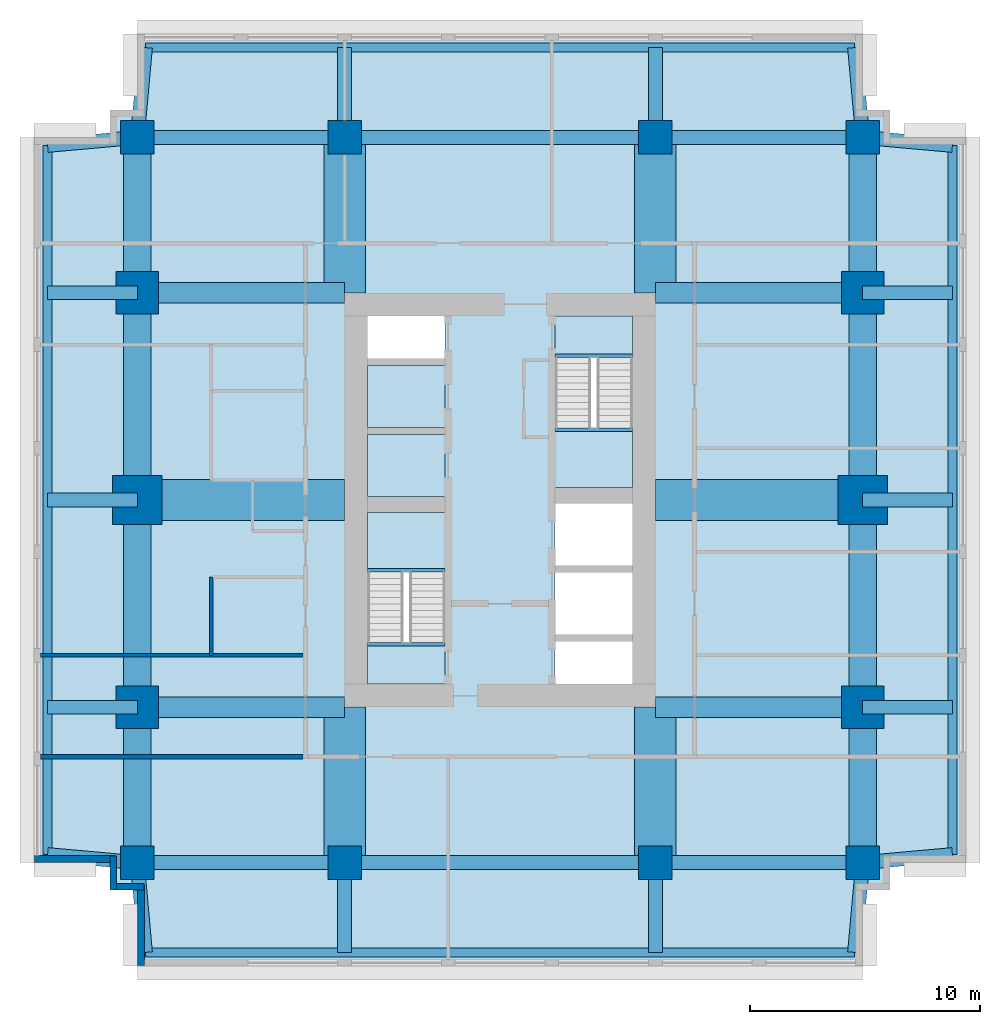
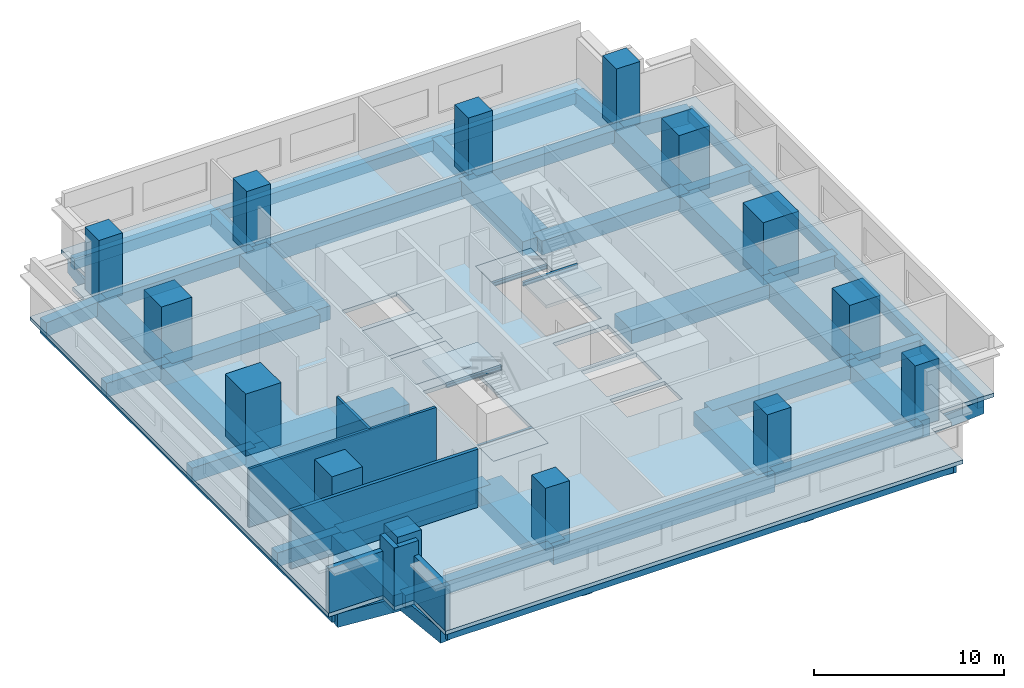
# One storey, part 1 of 5: 50 beams, 14 columns, 7 slabs, 7 walls, 2 elements without a shape of their own.
"""IFC4 building model written with IfcOpenShell, lengths in metres."""

from ifc_helpers import new_model, si_unit, direction, frame, frame_2d, origin, origin_2d, place, context, subcontext, project, spatial, polyline, rectangle, i_section, outline, extrude, material, layer, layer_set, material_profile, profile_set, type_object, element, aggregate, save


model = new_model("IFC4")

# Units and contexts
model_context = context("Model", 3, precision=1e-05, world=origin(), true_north=direction((0.0, 1.0)))
body_context = subcontext(model_context, "Body", "Model", "MODEL_VIEW")
ifc_project = project(units=[si_unit("LENGTHUNIT", "METRE"), si_unit("AREAUNIT", "SQUARE_METRE"), si_unit("VOLUMEUNIT", "CUBIC_METRE"), si_unit("PLANEANGLEUNIT", "RADIAN"), si_unit("MASSUNIT", "GRAM", prefix="KILO")], contexts=[model_context])

# Site, building, storey
site_placement = place(None, origin())
site = spatial("IfcSite", under=ifc_project, at=site_placement, CompositionType="ELEMENT")
building_placement = place(site_placement, origin())
building = spatial("IfcBuilding", under=site, at=building_placement, Name="Namib Vertical Campus", CompositionType="ELEMENT")
storey_placement = place(building_placement, frame((0.0, 0.0, 257.0)))
storey = spatial("IfcBuildingStorey", under=building, at=storey_placement, Name="L60", CompositionType="ELEMENT", Elevation=257.0)

# Columns
ifc_material_1 = material(Name="Concrete C60/75", Category="concrete")
ifc_material_profile_1 = material_profile(ifc_material_1, rectangle(XDim=1.449951171875, YDim=1.449951171875, at=origin_2d()))
ifc_profile_set_1 = profile_set([ifc_material_profile_1], Name="Concrete C60/75")
column_type_1 = type_object("IfcColumnType", Name="Column RC 1450x1450", PredefinedType="COLUMN", material=ifc_profile_set_1)
for number, where, z_axis, x_axis, name in (
    (1, (4.5, 4.5, 0.0), (0.0, 0.0, 1.0), (1.0, 0.0, 0.0), "Column C145 L60"),
    (2, (13.5, 4.5, 0.0), (0.0, 0.0, 1.0), (1.0, 0.0, 0.0), "Column C145 L60"),
    (3, (27.0, 4.5, 0.0), (0.0, 0.0, 1.0), (1.0, 0.0, 0.0), "Column C145 L60"),
    (4, (36.0, 4.5, 0.0), (0.0, 0.0, 1.0), (1.0, 0.0, 0.0), "Column C145 L60"),
    (5, (4.5, 36.0, 0.0), (0.0, 0.0, 1.0), (1.0, 0.0, 0.0), "Column C145 L60"),
    (6, (13.5, 36.0, 0.0), (0.0, 0.0, 1.0), (1.0, 0.0, 0.0), "Column C145 L60"),
    (7, (27.0, 36.0, 0.0), (0.0, 0.0, 1.0), (1.0, 0.0, 0.0), "Column C145 L60"),
    (8, (36.0, 36.0, 0.0), (0.0, 0.0, 1.0), (1.0, 0.0, 0.0), "Column C145 L60"),
):
    element("IfcColumn", number, at=place(storey_placement, frame(where, z_axis=z_axis, x_axis=x_axis)), inside=storey, type_object=column_type_1, Name=name, PredefinedType="COLUMN", context=body_context, shape_type="SweptSolid", body=[
        extrude(rectangle(XDim=1.449951171875, YDim=1.449951171875, at=origin_2d()), origin(), (0.0, 0.0, 1.0), 4.0),
    ])
ifc_material_2 = material(Name="Concrete C60/75", Category="concrete")
ifc_material_profile_2 = material_profile(ifc_material_2, rectangle(XDim=1.85009765625, YDim=1.85009765625, at=origin_2d()))
ifc_profile_set_2 = profile_set([ifc_material_profile_2], Name="Concrete C60/75")
column_type_2 = type_object("IfcColumnType", Name="Column RC 1850x1850", PredefinedType="COLUMN", material=ifc_profile_set_2)
for number, where, z_axis, x_axis, name in (
    (9, (4.5, 11.25, 0.0), (0.0, 0.0, 1.0), (1.0, 0.0, 0.0), "Column C185 L60"),
    (10, (36.0, 11.25, 0.0), (0.0, 0.0, 1.0), (1.0, 0.0, 0.0), "Column C185 L60"),
    (11, (4.5, 29.25, 0.0), (0.0, 0.0, 1.0), (1.0, 0.0, 0.0), "Column C185 L60"),
    (12, (36.0, 29.25, 0.0), (0.0, 0.0, 1.0), (1.0, 0.0, 0.0), "Column C185 L60"),
):
    element("IfcColumn", number, at=place(storey_placement, frame(where, z_axis=z_axis, x_axis=x_axis)), inside=storey, type_object=column_type_2, Name=name, PredefinedType="COLUMN", context=body_context, shape_type="SweptSolid", body=[
        extrude(rectangle(XDim=1.85009765625, YDim=1.85009765625, at=origin_2d()), origin(), (0.0, 0.0, 1.0), 4.0),
    ])
ifc_material_3 = material(Name="Concrete C60/75", Category="concrete")
ifc_material_profile_3 = material_profile(ifc_material_3, rectangle(XDim=2.14990234375, YDim=2.14990234375, at=origin_2d()))
ifc_profile_set_3 = profile_set([ifc_material_profile_3], Name="Concrete C60/75")
column_type_3 = type_object("IfcColumnType", Name="Column RC 2150x2150", PredefinedType="COLUMN", material=ifc_profile_set_3)
for number, where, z_axis, x_axis, name in (
    (13, (4.5, 20.25, 0.0), (0.0, 0.0, 1.0), (1.0, 0.0, 0.0), "Column C215 L60"),
    (14, (36.0, 20.25, 0.0), (0.0, 0.0, 1.0), (1.0, 0.0, 0.0), "Column C215 L60"),
):
    element("IfcColumn", number, at=place(storey_placement, frame(where, z_axis=z_axis, x_axis=x_axis)), inside=storey, type_object=column_type_3, Name=name, PredefinedType="COLUMN", context=body_context, shape_type="SweptSolid", body=[
        extrude(rectangle(XDim=2.14990234375, YDim=2.14990234375, at=origin_2d()), origin(), (0.0, 0.0, 1.0), 4.0),
    ])

# Beams
ifc_material_4 = material(Name="Concrete C40/50", Category="concrete")
ifc_material_profile_4 = material_profile(ifc_material_4, rectangle(XDim=0.60009765625, YDim=0.89990234375, at=origin_2d()))
ifc_profile_set_4 = profile_set([ifc_material_profile_4], Name="Concrete C40/50")
beam_type_1 = type_object("IfcBeamType", Name="Cantilever girder RC 600x900", PredefinedType="BEAM", material=ifc_profile_set_4)
beam_1_placement = place(storey_placement, frame((4.5, 4.5, -0.699951171875), z_axis=(0.089411326146, -0.995994786511, 0.0), x_axis=(0.995994786511, 0.089411326146, 0.0)))
element("IfcBeam", 15, at=beam_1_placement, inside=storey, type_object=beam_type_1, Name="Beam B3 L60", PredefinedType="BEAM", context=body_context, shape_type="SweptSolid", body=[
    extrude(rectangle(XDim=0.60009765625, YDim=0.89990234375, at=origin_2d()), origin(), (0.0, 0.0, 1.0), 3.91552734375),
])
for number, where, z_axis, x_axis, name in (
    (16, (13.5, 4.5, -0.699951171875), (0.0, -1.0, 0.0), (1.0, 0.0, 0.0), "Beam B3 L60"),
    (17, (27.0, 4.5, -0.699951171875), (0.0, -1.0, 0.0), (1.0, 0.0, 0.0), "Beam B3 L60"),
):
    element("IfcBeam", number, at=place(storey_placement, frame(where, z_axis=z_axis, x_axis=x_axis)), inside=storey, type_object=beam_type_1, Name=name, PredefinedType="BEAM", context=body_context, shape_type="SweptSolid", body=[
        extrude(rectangle(XDim=0.60009765625, YDim=0.89990234375, at=origin_2d()), origin(), (0.0, 0.0, 1.0), 3.89990234375),
    ])
for number, where, z_axis, x_axis, name in (
    (18, (36.0, 4.5, -0.699951171875), (-0.089411326146, -0.995994786511, 0.0), (0.995994786511, -0.089411326146, 0.0), "Beam B3 L60"),
    (19, (4.5, 36.0, -0.699951171875), (0.089411326146, 0.995994786511, 0.0), (-0.995994786511, 0.089411326146, 0.0), "Beam B3 L60"),
):
    element("IfcBeam", number, at=place(storey_placement, frame(where, z_axis=z_axis, x_axis=x_axis)), inside=storey, type_object=beam_type_1, Name=name, PredefinedType="BEAM", context=body_context, shape_type="SweptSolid", body=[
        extrude(rectangle(XDim=0.60009765625, YDim=0.89990234375, at=origin_2d()), origin(), (0.0, 0.0, 1.0), 3.91552734375),
    ])
for number, where, z_axis, x_axis, name in (
    (20, (13.5, 36.0, -0.699951171875), (0.0, 1.0, 0.0), (-1.0, 0.0, 0.0), "Beam B3 L60"),
    (21, (27.0, 36.0, -0.699951171875), (0.0, 1.0, 0.0), (-1.0, 0.0, 0.0), "Beam B3 L60"),
):
    element("IfcBeam", number, at=place(storey_placement, frame(where, z_axis=z_axis, x_axis=x_axis)), inside=storey, type_object=beam_type_1, Name=name, PredefinedType="BEAM", context=body_context, shape_type="SweptSolid", body=[
        extrude(rectangle(XDim=0.60009765625, YDim=0.89990234375, at=origin_2d()), origin(), (0.0, 0.0, 1.0), 3.89990234375),
    ])
for number, where, z_axis, x_axis, name in (
    (22, (36.0, 36.0, -0.699951171875), (-0.089411326146, 0.995994786511, 0.0), (-0.995994786511, -0.089411326146, 0.0), "Beam B3 L60"),
    (23, (4.5, 4.5, -0.699951171875), (-0.995994786511, 0.089411326146, 0.0), (-0.089411326146, -0.995994786511, 0.0), "Beam B3 L60"),
):
    element("IfcBeam", number, at=place(storey_placement, frame(where, z_axis=z_axis, x_axis=x_axis)), inside=storey, type_object=beam_type_1, Name=name, PredefinedType="BEAM", context=body_context, shape_type="SweptSolid", body=[
        extrude(rectangle(XDim=0.60009765625, YDim=0.89990234375, at=origin_2d()), origin(), (0.0, 0.0, 1.0), 3.91552734375),
    ])
for number, where, z_axis, x_axis, name in (
    (24, (4.5, 11.25, -0.699951171875), (-1.0, 0.0, 0.0), (0.0, -1.0, 0.0), "Beam B3 L60"),
    (25, (4.5, 20.25, -0.699951171875), (-1.0, 0.0, 0.0), (0.0, -1.0, 0.0), "Beam B3 L60"),
    (26, (4.5, 29.25, -0.699951171875), (-1.0, 0.0, 0.0), (0.0, -1.0, 0.0), "Beam B3 L60"),
):
    element("IfcBeam", number, at=place(storey_placement, frame(where, z_axis=z_axis, x_axis=x_axis)), inside=storey, type_object=beam_type_1, Name=name, PredefinedType="BEAM", context=body_context, shape_type="SweptSolid", body=[
        extrude(rectangle(XDim=0.60009765625, YDim=0.89990234375, at=origin_2d()), origin(), (0.0, 0.0, 1.0), 3.89990234375),
    ])
for number, where, z_axis, x_axis, name in (
    (27, (4.5, 36.0, -0.699951171875), (-0.995994786511, -0.089411326146, 0.0), (0.089411326146, -0.995994786511, 0.0), "Beam B3 L60"),
    (28, (36.0, 4.5, -0.699951171875), (0.995994786511, 0.089411326146, 0.0), (-0.089411326146, 0.995994786511, 0.0), "Beam B3 L60"),
):
    element("IfcBeam", number, at=place(storey_placement, frame(where, z_axis=z_axis, x_axis=x_axis)), inside=storey, type_object=beam_type_1, Name=name, PredefinedType="BEAM", context=body_context, shape_type="SweptSolid", body=[
        extrude(rectangle(XDim=0.60009765625, YDim=0.89990234375, at=origin_2d()), origin(), (0.0, 0.0, 1.0), 3.91552734375),
    ])
for number, where, z_axis, x_axis, name in (
    (29, (36.0, 11.25, -0.699951171875), (1.0, 0.0, 0.0), (0.0, 1.0, 0.0), "Beam B3 L60"),
    (30, (36.0, 20.25, -0.699951171875), (1.0, 0.0, 0.0), (0.0, 1.0, 0.0), "Beam B3 L60"),
    (31, (36.0, 29.25, -0.699951171875), (1.0, 0.0, 0.0), (0.0, 1.0, 0.0), "Beam B3 L60"),
):
    element("IfcBeam", number, at=place(storey_placement, frame(where, z_axis=z_axis, x_axis=x_axis)), inside=storey, type_object=beam_type_1, Name=name, PredefinedType="BEAM", context=body_context, shape_type="SweptSolid", body=[
        extrude(rectangle(XDim=0.60009765625, YDim=0.89990234375, at=origin_2d()), origin(), (0.0, 0.0, 1.0), 3.89990234375),
    ])
beam_2_placement = place(storey_placement, frame((36.0, 36.0, -0.699951171875), z_axis=(0.995994786511, -0.089411326146, 0.0), x_axis=(0.089411326146, 0.995994786511, 0.0)))
element("IfcBeam", 32, at=beam_2_placement, inside=storey, type_object=beam_type_1, Name="Beam B3 L60", PredefinedType="BEAM", context=body_context, shape_type="SweptSolid", body=[
    extrude(rectangle(XDim=0.60009765625, YDim=0.89990234375, at=origin_2d()), origin(), (0.0, 0.0, 1.0), 3.91552734375),
])
ifc_material_5 = material(Name="Concrete C40/50", Category="concrete")
ifc_material_profile_5 = material_profile(ifc_material_5, rectangle(XDim=0.39990234375, YDim=0.699951171875, at=origin_2d()))
ifc_profile_set_5 = profile_set([ifc_material_profile_5], Name="Concrete C40/50")
beam_type_2 = type_object("IfcBeamType", Name="Edge beam RC 400x700", PredefinedType="SPANDREL", material=ifc_profile_set_5)
for number, where, z_axis, x_axis, name in (
    (33, (4.85009765625, 0.60009765625, -0.60009765625), (1.0, 0.0, 0.0), (0.0, 1.0, 0.0), "Beam B4 L60"),
    (34, (4.85009765625, 39.89990234375, -0.60009765625), (1.0, 0.0, 0.0), (0.0, 1.0, 0.0), "Beam B4 L60"),
    (35, (0.60009765625, 4.85009765625, -0.60009765625), (0.0, 1.0, 0.0), (-1.0, 0.0, 0.0), "Beam B4 L60"),
    (36, (39.89990234375, 4.85009765625, -0.60009765625), (0.0, 1.0, 0.0), (-1.0, 0.0, 0.0), "Beam B4 L60"),
):
    element("IfcBeam", number, at=place(storey_placement, frame(where, z_axis=z_axis, x_axis=x_axis)), inside=storey, type_object=beam_type_2, Name=name, PredefinedType="SPANDREL", context=body_context, shape_type="SweptSolid", body=[
        extrude(rectangle(XDim=0.39990234375, YDim=0.699951171875, at=origin_2d()), origin(), (0.0, 0.0, 1.0), 30.7998046875),
    ])
ifc_material_6 = material(Name="Concrete C40/50", Category="concrete")
ifc_material_profile_6 = material_profile(ifc_material_6, rectangle(XDim=0.89990234375, YDim=0.89990234375, at=origin_2d()))
ifc_profile_set_6 = profile_set([ifc_material_profile_6], Name="Concrete C40/50")
beam_type_3 = type_object("IfcBeamType", Name="Face girder RC 900x900", PredefinedType="BEAM", material=ifc_profile_set_6)
for number, where, z_axis, x_axis, name in (
    (37, (4.5, 11.25, -0.699951171875), (1.0, 0.0, 0.0), (0.0, 1.0, 0.0), "Beam B10 L60"),
    (38, (36.0, 11.25, -0.699951171875), (-1.0, 0.0, 0.0), (0.0, -1.0, 0.0), "Beam B10 L60"),
    (39, (4.5, 29.25, -0.699951171875), (1.0, 0.0, 0.0), (0.0, 1.0, 0.0), "Beam B10 L60"),
    (40, (36.0, 29.25, -0.699951171875), (-1.0, 0.0, 0.0), (0.0, -1.0, 0.0), "Beam B10 L60"),
):
    element("IfcBeam", number, at=place(storey_placement, frame(where, z_axis=z_axis, x_axis=x_axis)), inside=storey, type_object=beam_type_3, Name=name, PredefinedType="BEAM", context=body_context, shape_type="SweptSolid", body=[
        extrude(rectangle(XDim=0.89990234375, YDim=0.89990234375, at=origin_2d()), origin(), (0.0, 0.0, 1.0), 9.0),
    ])
ifc_material_7 = material(Name="Concrete C40/50", Category="concrete")
ifc_material_profile_7 = material_profile(ifc_material_7, rectangle(XDim=1.199951171875, YDim=1.10009765625, at=origin_2d()))
ifc_profile_set_7 = profile_set([ifc_material_profile_7], Name="Concrete C40/50")
beam_type_4 = type_object("IfcBeamType", Name="Face ring beam RC 1200x1100", PredefinedType="BEAM", material=ifc_profile_set_7)
beam_3_placement = place(storey_placement, frame((4.5, 4.5, -0.800048828125), z_axis=(0.0, 1.0, 0.0), x_axis=(-1.0, 0.0, 0.0)))
element("IfcBeam", 41, at=beam_3_placement, inside=storey, type_object=beam_type_4, Name="Beam B11 L60", PredefinedType="BEAM", context=body_context, shape_type="SweptSolid", body=[
    extrude(rectangle(XDim=1.199951171875, YDim=1.10009765625, at=origin_2d()), origin(), (0.0, 0.0, 1.0), 6.75),
])
for number, where, z_axis, x_axis, name in (
    (42, (4.5, 11.25, -0.800048828125), (0.0, 1.0, 0.0), (-1.0, 0.0, 0.0), "Beam B11 L60"),
    (43, (4.5, 20.25, -0.800048828125), (0.0, 1.0, 0.0), (-1.0, 0.0, 0.0), "Beam B11 L60"),
):
    element("IfcBeam", number, at=place(storey_placement, frame(where, z_axis=z_axis, x_axis=x_axis)), inside=storey, type_object=beam_type_4, Name=name, PredefinedType="BEAM", context=body_context, shape_type="SweptSolid", body=[
        extrude(rectangle(XDim=1.199951171875, YDim=1.10009765625, at=origin_2d()), origin(), (0.0, 0.0, 1.0), 9.0),
    ])
for number, where, z_axis, x_axis, name in (
    (44, (4.5, 29.25, -0.800048828125), (0.0, 1.0, 0.0), (-1.0, 0.0, 0.0), "Beam B11 L60"),
    (45, (36.0, 4.5, -0.800048828125), (0.0, 1.0, 0.0), (-1.0, 0.0, 0.0), "Beam B11 L60"),
):
    element("IfcBeam", number, at=place(storey_placement, frame(where, z_axis=z_axis, x_axis=x_axis)), inside=storey, type_object=beam_type_4, Name=name, PredefinedType="BEAM", context=body_context, shape_type="SweptSolid", body=[
        extrude(rectangle(XDim=1.199951171875, YDim=1.10009765625, at=origin_2d()), origin(), (0.0, 0.0, 1.0), 6.75),
    ])
for number, where, z_axis, x_axis, name in (
    (46, (36.0, 11.25, -0.800048828125), (0.0, 1.0, 0.0), (-1.0, 0.0, 0.0), "Beam B11 L60"),
    (47, (36.0, 20.25, -0.800048828125), (0.0, 1.0, 0.0), (-1.0, 0.0, 0.0), "Beam B11 L60"),
):
    element("IfcBeam", number, at=place(storey_placement, frame(where, z_axis=z_axis, x_axis=x_axis)), inside=storey, type_object=beam_type_4, Name=name, PredefinedType="BEAM", context=body_context, shape_type="SweptSolid", body=[
        extrude(rectangle(XDim=1.199951171875, YDim=1.10009765625, at=origin_2d()), origin(), (0.0, 0.0, 1.0), 9.0),
    ])
beam_4_placement = place(storey_placement, frame((36.0, 29.25, -0.800048828125), z_axis=(0.0, 1.0, 0.0), x_axis=(-1.0, 0.0, 0.0)))
element("IfcBeam", 48, at=beam_4_placement, inside=storey, type_object=beam_type_4, Name="Beam B11 L60", PredefinedType="BEAM", context=body_context, shape_type="SweptSolid", body=[
    extrude(rectangle(XDim=1.199951171875, YDim=1.10009765625, at=origin_2d()), origin(), (0.0, 0.0, 1.0), 6.75),
])
ifc_material_8 = material(Name="Steel S355JR", Category="steel")
ifc_material_profile_8 = material_profile(ifc_material_8, i_section(OverallWidth=0.14599609375, OverallDepth=0.25146484375, WebThickness=0.006103515625, FlangeThickness=0.008544921875, FilletRadius=0.007568359375, at=origin_2d()))
ifc_profile_set_8 = profile_set([ifc_material_profile_8], Name="Steel S355JR")
beam_type_5 = type_object("IfcBeamType", Name="Landing trimmer UB 254x146x31", PredefinedType="BEAM", material=ifc_profile_set_8)
for number, where, z_axis, x_axis, name in (
    (49, (14.5, 13.97705078125, -0.125732421875), (1.0, 0.0, 0.0), (0.0, 1.0, 0.0), "Landing trimmer LT1 A-S1 L60 1"),
    (50, (14.5, 17.203125, 1.874267578125), (1.0, 0.0, 0.0), (0.0, 1.0, 0.0), "Landing trimmer LT1 A-S1 L60 2"),
    (51, (22.64990234375, 26.52294921875, -0.125732421875), (1.0, 0.0, 0.0), (0.0, 1.0, 0.0), "Landing trimmer LT1 A-S2 L60 1"),
    (52, (22.64990234375, 23.296875, 1.874267578125), (1.0, 0.0, 0.0), (0.0, 1.0, 0.0), "Landing trimmer LT1 A-S2 L60 2"),
):
    element("IfcBeam", number, at=place(storey_placement, frame(where, z_axis=z_axis, x_axis=x_axis)), inside=storey, type_object=beam_type_5, Name=name, PredefinedType="BEAM", context=body_context, shape_type="SweptSolid", body=[
        extrude(i_section(OverallWidth=0.14599609375, OverallDepth=0.25146484375, WebThickness=0.006103515625, FlangeThickness=0.008544921875, FilletRadius=0.007568359375, at=origin_2d()), origin(), (0.0, 0.0, 1.0), 3.35009765625),
    ])
ifc_material_9 = material(Name="Concrete C40/50", Category="concrete")
ifc_material_profile_9 = material_profile(ifc_material_9, rectangle(XDim=0.60009765625, YDim=1.199951171875, at=origin_2d()))
ifc_profile_set_9 = profile_set([ifc_material_profile_9], Name="Concrete C40/50")
beam_type_6 = type_object("IfcBeamType", Name="Long-span ring beam RC 600x1200", PredefinedType="BEAM", material=ifc_profile_set_9)
for number, where, z_axis, x_axis, name in (
    (53, (13.5, 4.5, -0.85009765625), (1.0, 0.0, 0.0), (0.0, 1.0, 0.0), "Beam B9 L60"),
    (54, (13.5, 36.0, -0.85009765625), (1.0, 0.0, 0.0), (0.0, 1.0, 0.0), "Beam B9 L60"),
):
    element("IfcBeam", number, at=place(storey_placement, frame(where, z_axis=z_axis, x_axis=x_axis)), inside=storey, type_object=beam_type_6, Name=name, PredefinedType="BEAM", context=body_context, shape_type="SweptSolid", body=[
        extrude(rectangle(XDim=0.60009765625, YDim=1.199951171875, at=origin_2d()), origin(), (0.0, 0.0, 1.0), 13.5),
    ])
ifc_material_10 = material(Name="Concrete C40/50", Category="concrete")
ifc_material_profile_10 = material_profile(ifc_material_10, rectangle(XDim=1.800048828125, YDim=0.89990234375, at=origin_2d()))
ifc_profile_set_10 = profile_set([ifc_material_profile_10], Name="Concrete C40/50")
beam_type_7 = type_object("IfcBeamType", Name="Outrigger line girder RC 1800x900", PredefinedType="BEAM", material=ifc_profile_set_10)
for number, where, z_axis, x_axis, name in (
    (55, (13.5, 4.5, -0.699951171875), (0.0, 1.0, 0.0), (-1.0, 0.0, 0.0), "Beam B12 L60"),
    (56, (13.5, 36.0, -0.699951171875), (0.0, -1.0, 0.0), (1.0, 0.0, 0.0), "Beam B12 L60"),
    (57, (27.0, 4.5, -0.699951171875), (0.0, 1.0, 0.0), (-1.0, 0.0, 0.0), "Beam B12 L60"),
    (58, (27.0, 36.0, -0.699951171875), (0.0, -1.0, 0.0), (1.0, 0.0, 0.0), "Beam B12 L60"),
):
    element("IfcBeam", number, at=place(storey_placement, frame(where, z_axis=z_axis, x_axis=x_axis)), inside=storey, type_object=beam_type_7, Name=name, PredefinedType="BEAM", context=body_context, shape_type="SweptSolid", body=[
        extrude(rectangle(XDim=1.800048828125, YDim=0.89990234375, at=origin_2d()), origin(), (0.0, 0.0, 1.0), 6.75),
    ])
for number, where, z_axis, x_axis, name in (
    (59, (4.5, 20.25, -0.699951171875), (1.0, 0.0, 0.0), (0.0, 1.0, 0.0), "Beam B12 L60"),
    (60, (36.0, 20.25, -0.699951171875), (-1.0, 0.0, 0.0), (0.0, -1.0, 0.0), "Beam B12 L60"),
):
    element("IfcBeam", number, at=place(storey_placement, frame(where, z_axis=z_axis, x_axis=x_axis)), inside=storey, type_object=beam_type_7, Name=name, PredefinedType="BEAM", context=body_context, shape_type="SweptSolid", body=[
        extrude(rectangle(XDim=1.800048828125, YDim=0.89990234375, at=origin_2d()), origin(), (0.0, 0.0, 1.0), 9.0),
    ])
ifc_material_11 = material(Name="Concrete C40/50", Category="concrete")
ifc_material_profile_11 = material_profile(ifc_material_11, rectangle(XDim=0.60009765625, YDim=0.800048828125, at=origin_2d()))
ifc_profile_set_11 = profile_set([ifc_material_profile_11], Name="Concrete C40/50")
beam_type_8 = type_object("IfcBeamType", Name="Ring beam RC 600x800", PredefinedType="BEAM", material=ifc_profile_set_11)
for number, where, z_axis, x_axis, name in (
    (61, (4.5, 4.5, -0.64990234375), (1.0, 0.0, 0.0), (0.0, 1.0, 0.0), "Beam B1 L60"),
    (62, (27.0, 4.5, -0.64990234375), (1.0, 0.0, 0.0), (0.0, 1.0, 0.0), "Beam B1 L60"),
    (63, (4.5, 36.0, -0.64990234375), (1.0, 0.0, 0.0), (0.0, 1.0, 0.0), "Beam B1 L60"),
    (64, (27.0, 36.0, -0.64990234375), (1.0, 0.0, 0.0), (0.0, 1.0, 0.0), "Beam B1 L60"),
):
    element("IfcBeam", number, at=place(storey_placement, frame(where, z_axis=z_axis, x_axis=x_axis)), inside=storey, type_object=beam_type_8, Name=name, PredefinedType="BEAM", context=body_context, shape_type="SweptSolid", body=[
        extrude(rectangle(XDim=0.60009765625, YDim=0.800048828125, at=origin_2d()), origin(), (0.0, 0.0, 1.0), 9.0),
    ])

# Slabs
ifc_material_12 = material(Name="Concrete C40/50", Category="concrete")
ifc_layer_1 = layer(ifc_material_12, 0.25)
ifc_layer_set_1 = layer_set([ifc_layer_1], Name="Concrete C40/50")
slab_type_1 = type_object("IfcSlabType", Name="Floor slab 250", PredefinedType="FLOOR", material=ifc_layer_set_1)
slab_1_placement = place(storey_placement, frame((0.0, 0.0, -0.25)))
element("IfcSlab", 65, at=slab_1_placement, inside=storey, type_object=slab_type_1, Name="Floor slab A L60", PredefinedType="FLOOR", context=body_context, shape_type="SweptSolid", body=[
    extrude(outline(polyline([(4.5, 0.0), (36.0, 0.0), (36.0, 3.300048828125), (37.199951171875, 3.300048828125), (37.199951171875, 4.5), (40.5, 4.5), (40.5, 36.0), (37.199951171875, 36.0), (37.199951171875, 37.199951171875), (36.0, 37.199951171875), (36.0, 40.5), (4.5, 40.5), (4.5, 37.199951171875), (3.300048828125, 37.199951171875), (3.300048828125, 36.0), (0.0, 36.0), (0.0, 4.5), (3.300048828125, 4.5), (3.300048828125, 3.300048828125), (4.5, 3.300048828125), (4.5, 0.0)]), holes=[polyline([(14.5, 12.25), (17.85009765625, 12.25), (17.85009765625, 19.699951171875), (14.5, 19.699951171875), (14.5, 12.25)]), polyline([(22.64990234375, 20.800048828125), (26.0, 20.800048828125), (26.0, 28.25), (22.64990234375, 28.25), (22.64990234375, 20.800048828125)]), polyline([(22.64990234375, 12.25), (26.0, 12.25), (26.0, 14.10009765625), (22.64990234375, 14.10009765625), (22.64990234375, 12.25)]), polyline([(14.5, 20.39990234375), (17.85009765625, 20.39990234375), (17.85009765625, 23.10009765625), (14.5, 23.10009765625), (14.5, 20.39990234375)]), polyline([(14.5, 23.39990234375), (17.85009765625, 23.39990234375), (17.85009765625, 26.10009765625), (14.5, 26.10009765625), (14.5, 23.39990234375)]), polyline([(14.5, 26.39990234375), (17.85009765625, 26.39990234375), (17.85009765625, 28.25), (14.5, 28.25), (14.5, 26.39990234375)]), polyline([(22.64990234375, 14.39990234375), (26.0, 14.39990234375), (26.0, 17.10009765625), (22.64990234375, 17.10009765625), (22.64990234375, 14.39990234375)]), polyline([(22.64990234375, 17.39990234375), (26.0, 17.39990234375), (26.0, 20.10009765625), (22.64990234375, 20.10009765625), (22.64990234375, 17.39990234375)])]), origin(), (0.0, 0.0, 1.0), 0.25),
])
ifc_material_13 = material(Name="Concrete C40/50 precast", Category="concrete")
ifc_layer_2 = layer(ifc_material_13, 0.25)
ifc_layer_set_2 = layer_set([ifc_layer_2], Name="Concrete C40/50 precast")
slab_type_2 = type_object("IfcSlabType", Name="Shaft infill floor 250", PredefinedType="FLOOR", material=ifc_layer_set_2)
slab_2_placement = place(storey_placement, frame((0.0, 0.0, -0.25)))
element("IfcSlab", 66, at=slab_2_placement, inside=storey, type_object=slab_type_2, Name="Shaft infill floor A L60 P1", PredefinedType="FLOOR", context=body_context, shape_type="SweptSolid", body=[
    extrude(outline(polyline([(14.5, 20.39990234375), (17.85009765625, 20.39990234375), (17.85009765625, 23.10009765625), (14.5, 23.10009765625), (14.5, 20.39990234375)])), origin(), (0.0, 0.0, 1.0), 0.25),
])
slab_3_placement = place(storey_placement, frame((0.0, 0.0, -0.25)))
element("IfcSlab", 67, at=slab_3_placement, inside=storey, type_object=slab_type_2, Name="Shaft infill floor A L60 P2", PredefinedType="FLOOR", context=body_context, shape_type="SweptSolid", body=[
    extrude(outline(polyline([(14.5, 23.39990234375), (17.85009765625, 23.39990234375), (17.85009765625, 26.10009765625), (14.5, 26.10009765625), (14.5, 23.39990234375)])), origin(), (0.0, 0.0, 1.0), 0.25),
])

# Stair, slabs
ifc_material_14 = material(Name="Concrete C40/50 precast", Category="concrete")
stair_type = type_object("IfcStairType", Name="Exit stair 4000 rise 24 risers 3350 wide", PredefinedType="HALF_TURN_STAIR", material=ifc_material_14)
stair_1_placement = place(storey_placement, origin())
stair_1 = element("IfcStair", 68, at=stair_1_placement, inside=storey, type_object=stair_type, Name="Exit stair A-S1 L60", PredefinedType="HALF_TURN_STAIR")
ifc_material_15 = material(Name="Concrete C40/50", Category="concrete")
ifc_layer_3 = layer(ifc_material_15, 0.199951171875)
ifc_layer_set_3 = layer_set([ifc_layer_3], Name="Concrete C40/50")
slab_type_3 = type_object("IfcSlabType", Name="Stair landing 200", PredefinedType="LANDING", material=ifc_layer_set_3)
slab_4_placement = place(storey_placement, frame((0.0, 0.0, -0.199951171875)))
slab_4 = element("IfcSlab", 69, at=slab_4_placement, type_object=slab_type_3, Name="A-S1 landing 1", PredefinedType="LANDING", context=body_context, shape_type="SweptSolid", body=[
    extrude(outline(polyline([(14.5, 12.25), (17.85009765625, 12.25), (17.85009765625, 13.90380859375), (14.5, 13.90380859375), (14.5, 12.25)])), origin(), (0.0, 0.0, 1.0), 0.199951171875),
])
slab_5_placement = place(storey_placement, frame((0.0, 0.0, 1.800048828125)))
slab_5 = element("IfcSlab", 70, at=slab_5_placement, type_object=slab_type_3, Name="A-S1 landing 2", PredefinedType="LANDING", context=body_context, shape_type="SweptSolid", body=[
    extrude(outline(polyline([(14.5, 17.276123046875), (17.85009765625, 17.276123046875), (17.85009765625, 19.699951171875), (14.5, 19.699951171875), (14.5, 17.276123046875)])), origin(), (0.0, 0.0, 1.0), 0.199951171875),
])
aggregate(stair_1, [slab_4, slab_5])

stair_2_placement = place(storey_placement, origin())
stair_2 = element("IfcStair", 71, at=stair_2_placement, inside=storey, type_object=stair_type, Name="Exit stair A-S2 L60", PredefinedType="HALF_TURN_STAIR")
slab_6_placement = place(storey_placement, frame((0.0, 0.0, -0.199951171875)))
slab_6 = element("IfcSlab", 72, at=slab_6_placement, type_object=slab_type_3, Name="A-S2 landing 1", PredefinedType="LANDING", context=body_context, shape_type="SweptSolid", body=[
    extrude(outline(polyline([(22.64990234375, 26.59619140625), (26.0, 26.59619140625), (26.0, 28.25), (22.64990234375, 28.25), (22.64990234375, 26.59619140625)])), origin(), (0.0, 0.0, 1.0), 0.199951171875),
])
slab_7_placement = place(storey_placement, frame((0.0, 0.0, 1.800048828125)))
slab_7 = element("IfcSlab", 73, at=slab_7_placement, type_object=slab_type_3, Name="A-S2 landing 2", PredefinedType="LANDING", context=body_context, shape_type="SweptSolid", body=[
    extrude(outline(polyline([(22.64990234375, 20.800048828125), (26.0, 20.800048828125), (26.0, 23.223876953125), (22.64990234375, 23.223876953125), (22.64990234375, 20.800048828125)])), origin(), (0.0, 0.0, 1.0), 0.199951171875),
])
aggregate(stair_2, [slab_6, slab_7])

# Walls
ifc_material_16 = material(Name="Concrete masonry", Category="masonry")
ifc_layer_4 = layer(ifc_material_16, 0.199951171875)
ifc_layer_set_4 = layer_set([ifc_layer_4], Name="Corridor wall 200")
wall_type_1 = type_object("IfcWallType", Name="Corridor wall 200", PredefinedType="SOLIDWALL", material=ifc_layer_set_4)
wall_1_placement = place(storey_placement, frame((0.300048828125, 9.10009765625, 0.0), z_axis=(0.0, 0.0, 1.0), x_axis=(1.0, 0.0, 0.0)))
element("IfcWall", 74, at=wall_1_placement, inside=storey, type_object=wall_type_1, Name="Partition A L60 BSW", PredefinedType="SOLIDWALL", context=body_context, shape_type="SweptSolid", body=[
    extrude(rectangle(XDim=11.39990234375, YDim=0.199951171875, at=frame_2d((5.699951171875, 0.0))), origin(), (0.0, 0.0, 1.0), 3.75),
])
ifc_material_17 = material(Name="Concrete C40/50", Category="concrete")
ifc_layer_5 = layer(ifc_material_17, 0.300048828125)
ifc_layer_set_5 = layer_set([ifc_layer_5], Name="Concrete C40/50")
wall_type_2 = type_object("IfcWallType", Name="External wall 300 board-marked concrete", PredefinedType="STANDARD", material=ifc_layer_set_5)
wall_2_placement = place(storey_placement, frame((0.02001953125, 4.64990234375, 0.0), z_axis=(0.0, 0.0, 1.0), x_axis=(1.0, 0.0, 0.0)))
element("IfcWall", 75, at=wall_2_placement, inside=storey, type_object=wall_type_2, Name="External wall L60 F17", PredefinedType="STANDARD", context=body_context, shape_type="SweptSolid", body=[
    extrude(rectangle(XDim=3.56005859375, YDim=0.300048828125, at=frame_2d((1.780029296875, 0.0))), origin(), (0.0, 0.0, 1.0), 2.85009765625),
])
for number, where, z_axis, x_axis, name in (
    (76, (3.449951171875, 4.780029296875, 0.0), (0.0, 0.0, 1.0), (0.0, -1.0, 0.0), "External wall L60 F18"),
    (77, (3.320068359375, 3.449951171875, 0.0), (0.0, 0.0, 1.0), (1.0, 0.0, 0.0), "External wall L60 F19"),
):
    element("IfcWall", number, at=place(storey_placement, frame(where, z_axis=z_axis, x_axis=x_axis)), inside=storey, type_object=wall_type_2, Name=name, PredefinedType="STANDARD", context=body_context, shape_type="SweptSolid", body=[
        extrude(rectangle(XDim=1.4599609375, YDim=0.300048828125, at=frame_2d((0.72998046875, 0.0))), origin(), (0.0, 0.0, 1.0), 3.75),
    ])
wall_3_placement = place(storey_placement, frame((4.64990234375, 3.580078125, 0.0), z_axis=(0.0, 0.0, 1.0), x_axis=(0.0, -1.0, 0.0)))
element("IfcWall", 78, at=wall_3_placement, inside=storey, type_object=wall_type_2, Name="External wall L60 F20", PredefinedType="STANDARD", context=body_context, shape_type="SweptSolid", body=[
    extrude(rectangle(XDim=3.56005859375, YDim=0.300048828125, at=frame_2d((1.780029296875, 0.0))), origin(), (0.0, 0.0, 1.0), 2.85009765625),
])
ifc_material_18 = material(Name="Gypsum board on steel studs", Category="steel")
ifc_layer_6 = layer(ifc_material_18, 0.14990234375)
ifc_layer_set_6 = layer_set([ifc_layer_6], Name="Gypsum board on steel studs")
wall_type_3 = type_object("IfcWallType", Name="Partition 150", PredefinedType="PARTITIONING", material=ifc_layer_set_6)
wall_4_placement = place(storey_placement, frame((0.300048828125, 13.5, 0.0), z_axis=(0.0, 0.0, 1.0), x_axis=(1.0, 0.0, 0.0)))
element("IfcWall", 79, at=wall_4_placement, inside=storey, type_object=wall_type_3, Name="Partition A L60 PW1", PredefinedType="PARTITIONING", context=body_context, shape_type="SweptSolid", body=[
    extrude(rectangle(XDim=11.39990234375, YDim=0.14990234375, at=frame_2d((5.699951171875, 0.0))), origin(), (0.0, 0.0, 1.0), 3.75),
])
wall_5_placement = place(storey_placement, frame((7.699951171875, 13.5, 0.0), z_axis=(0.0, 0.0, 1.0), x_axis=(0.0, 1.0, 0.0)))
element("IfcWall", 80, at=wall_5_placement, inside=storey, type_object=wall_type_3, Name="Partition A L60 WB1", PredefinedType="PARTITIONING", context=body_context, shape_type="SweptSolid", body=[
    extrude(rectangle(XDim=3.39990234375, YDim=0.14990234375, at=frame_2d((1.699951171875, 0.0))), origin(), (0.0, 0.0, 1.0), 3.75),
])

save(model, "model.ifc")
